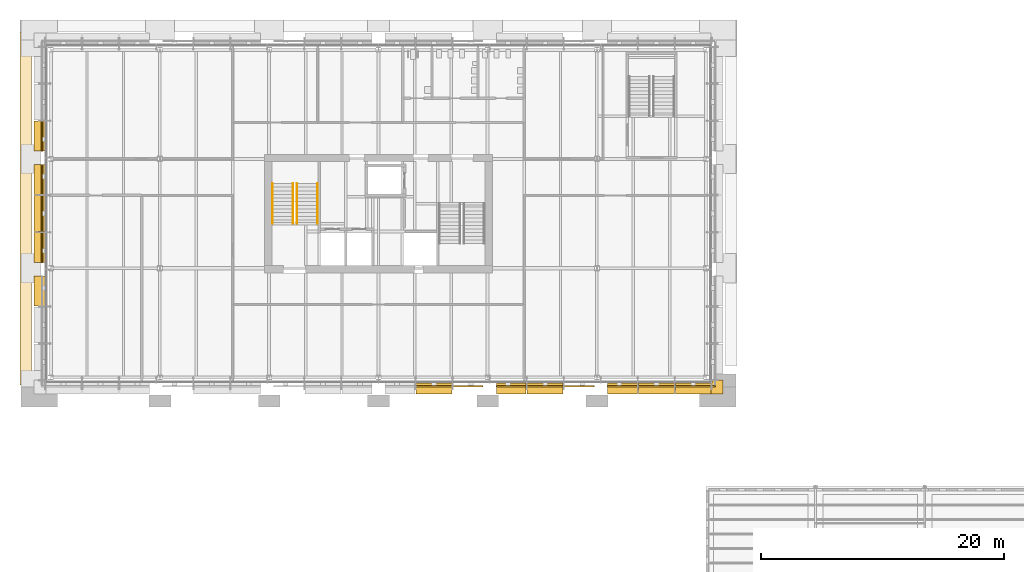
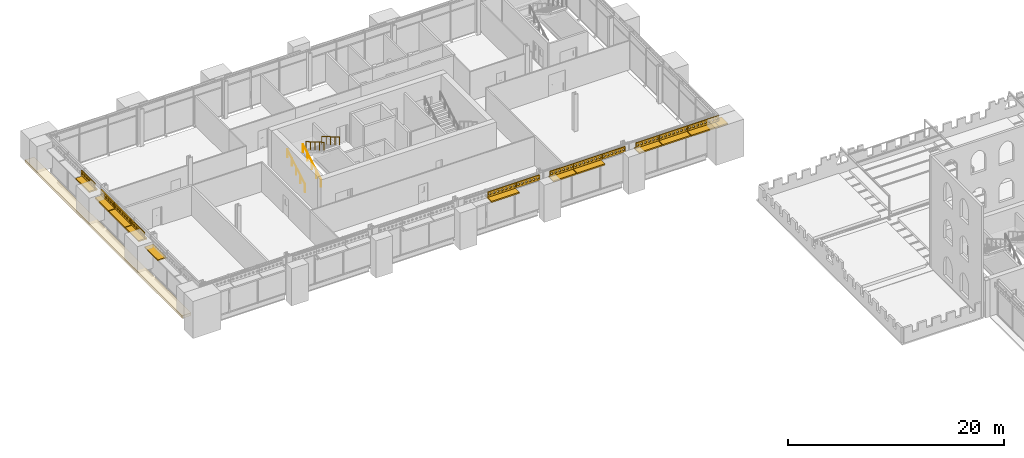
# One storey, part 141 of 153: 24 shading devices, 4 railings, 1 covering.
"""IFC4 building model written with IfcOpenShell, lengths in metres."""

import ifcopenshell
import ifcopenshell.guid

model = None  # the IFC model being written
_history = None  # IfcOwnerHistory: only IFC2X3 demands one
_inside = {}  # id of a spatial element -> (the spatial element, [elements in it])
_under = {}  # id of a project, library or spatial element -> (it, [spatial elements below it])
_declared = {}  # id of a project -> (the project, [libraries it declares])
_typed = {}  # id of a type object -> (the type object, [elements of that type])
_made_of = {}  # id of a material, layer set ... -> (it, [elements and type objects made of it])


def new_model(schema):
    """Start an empty IFC model of exactly this schema.

    Asked for "IFC4X3", IfcOpenShell would pick the latest addendum, in which some entities
    have other attributes; the version numbers below select the first issue.
    IFC2X3 requires an IfcOwnerHistory on every rooted entity: one is made here for all.
    """
    global model, _history
    if schema == "IFC4X3":
        model = ifcopenshell.file(schema_version=(4, 3, 0, 0))
    else:
        model = ifcopenshell.file(schema=schema)
    _inside.clear()
    _under.clear()
    _declared.clear()
    _typed.clear()
    _made_of.clear()
    _history = None
    if model.schema == "IFC2X3":
        org = make("IfcOrganization", Name="unknown")
        user = make(
            "IfcPersonAndOrganization",
            ThePerson=make("IfcPerson", FamilyName="unknown"),
            TheOrganization=org,
        )
        app = make(
            "IfcApplication",
            ApplicationDeveloper=org,
            Version="unknown",
            ApplicationFullName="unknown",
            ApplicationIdentifier="unknown",
        )
        _history = make(
            "IfcOwnerHistory",
            OwningUser=user,
            OwningApplication=app,
            ChangeAction="ADDED",
            CreationDate=0,
        )
    return model


def make(cls, **values):
    """One entity of the class cls with the attributes given. An attribute that is None is left unset."""
    return model.create_entity(
        cls, **{name: value for name, value in values.items() if value is not None}
    )


def rooted(cls, **values):
    """An entity with a GlobalId (a new one), such as an element, a storey or a relation."""
    return make(cls, GlobalId=ifcopenshell.guid.new(), OwnerHistory=_history, **values)


def si_unit(unit_type, name, prefix=None):
    """IfcSIUnit, for example si_unit("LENGTHUNIT", "METRE", prefix="MILLI")."""
    return make("IfcSIUnit", UnitType=unit_type, Prefix=prefix, Name=name)


def assignment(units):
    """IfcUnitAssignment: the units of a project."""
    return None if units is None else make("IfcUnitAssignment", Units=units)


def point(xyz):
    """IfcCartesianPoint."""
    return None if xyz is None else make("IfcCartesianPoint", Coordinates=xyz)


def direction(xyz):
    """IfcDirection."""
    return None if xyz is None else make("IfcDirection", DirectionRatios=xyz)


def frame(location, z_axis=None, x_axis=None):
    """IfcAxis2Placement3D, a coordinate frame: its origin and axes. An axis left out is left unset."""
    return make(
        "IfcAxis2Placement3D",
        Location=point(location),
        Axis=direction(z_axis),
        RefDirection=direction(x_axis),
    )


def frame_2d(location, x_axis=None):
    """IfcAxis2Placement2D, a coordinate frame in the plane: its origin and x axis."""
    return make(
        "IfcAxis2Placement2D", Location=point(location), RefDirection=direction(x_axis)
    )


def origin():
    """The frame at (0, 0, 0) with its axes left unset."""
    return frame((0.0, 0.0, 0.0))


def origin_2d():
    """The frame at (0, 0) in the plane with its x axis left unset."""
    return frame_2d((0.0, 0.0))


def place(relative_to, where):
    """IfcLocalPlacement: puts the frame where relative to a parent placement (None: the world)."""
    return make(
        "IfcLocalPlacement", PlacementRelTo=relative_to, RelativePlacement=where
    )


def context(
    kind, dimensions, precision=None, world=None, true_north=None, identifier=None
):
    """IfcGeometricRepresentationContext, for example the 3D "Model" context."""
    return make(
        "IfcGeometricRepresentationContext",
        ContextIdentifier=identifier,
        ContextType=kind,
        CoordinateSpaceDimension=dimensions,
        Precision=precision,
        WorldCoordinateSystem=world,
        TrueNorth=true_north,
    )


def subcontext(parent, identifier, kind, view, scale=None):
    """IfcGeometricRepresentationSubContext, for example "Body" below "Model"."""
    return make(
        "IfcGeometricRepresentationSubContext",
        ContextIdentifier=identifier,
        ContextType=kind,
        ParentContext=parent,
        TargetScale=scale,
        TargetView=view,
    )


def project(units=None, contexts=None):
    """IfcProject with its units and contexts."""
    return rooted(
        "IfcProject",
        Name="project",
        RepresentationContexts=contexts,
        UnitsInContext=assignment(units),
    )


def spatial(cls, under=None, at=None, **own):
    """A site, building, storey or space (cls), placed at a placement, below another one or the project."""
    s = rooted(cls, ObjectPlacement=at, **own)
    if under is not None:
        _under.setdefault(under.id(), (under, []))[1].append(s)
    return s


def polyline(points):
    """IfcPolyline through the points."""
    return make("IfcPolyline", Points=[point(p) for p in points])


def profile(cls, at=None, kind="AREA", **sizes):
    """A parametric profile (cls). Its sizes go by their IFC names, for example OverallWidth=200.0."""
    return make(cls, ProfileType=kind, Position=at, **sizes)


def rectangle(**sizes):
    """IfcRectangleProfileDef."""
    return profile("IfcRectangleProfileDef", **sizes)


def circle(**sizes):
    """IfcCircleProfileDef."""
    return profile("IfcCircleProfileDef", **sizes)


def outline(outer, holes=None, kind="AREA"):
    """IfcArbitraryClosedProfileDef: a profile drawn as a closed curve; with holes, ...WithVoids."""
    if holes is None:
        return make("IfcArbitraryClosedProfileDef", ProfileType=kind, OuterCurve=outer)
    return make(
        "IfcArbitraryProfileDefWithVoids",
        ProfileType=kind,
        OuterCurve=outer,
        InnerCurves=holes,
    )


def extrude(swept, where, along, depth):
    """IfcExtrudedAreaSolid: the profile swept, set in the frame where, extruded along a direction by depth."""
    return make(
        "IfcExtrudedAreaSolid",
        SweptArea=swept,
        Position=where,
        ExtrudedDirection=direction(along),
        Depth=depth,
    )


def shape(context_of_items, identifier, shape_type, items):
    """IfcShapeRepresentation: the items that make up one representation, for example the "Body"."""
    return make(
        "IfcShapeRepresentation",
        ContextOfItems=context_of_items,
        RepresentationIdentifier=identifier,
        RepresentationType=shape_type,
        Items=items,
    )


def material(Name=None, Category=None):
    """IfcMaterial."""
    return make("IfcMaterial", Name=Name, Category=Category)


def layer(
    of_material, thickness, ventilated=None, Name=None, Category=None, Priority=None
):
    """IfcMaterialLayer: one layer of a wall or slab, of a material (None: an air gap)."""
    return make(
        "IfcMaterialLayer",
        Material=of_material,
        LayerThickness=thickness,
        IsVentilated=ventilated,
        Name=Name,
        Category=Category,
        Priority=Priority,
    )


def layer_set(layers, Name=None):
    """IfcMaterialLayerSet."""
    return make("IfcMaterialLayerSet", MaterialLayers=layers, LayerSetName=Name)


def made_of(thing, what):
    """Note that an element or type object is made of a material, layer set ...; save() writes the relation."""
    if what is not None:
        _made_of.setdefault(what.id(), (what, []))[1].append(thing)
    return thing


def type_object(cls, material=None, **own):
    """A type object (cls), such as IfcWallType, which elements share."""
    return made_of(rooted(cls, **own), material)


def element(
    cls,
    number,
    at=None,
    inside=None,
    cuts=None,
    type_object=None,
    material=None,
    context=None,
    identifier="Body",
    shape_type=None,
    held_by="IfcProductDefinitionShape",
    body=None,
    shapes=None,
    **own,
):
    """One element of the class cls, such as IfcWall. Its Tag is "e" and its number.

    at: its placement. inside: the storey or other place that contains it. cuts: it is an
    opening in that element (IfcRelVoidsElement). A single representation is given by context,
    identifier, shape_type and body (its items); several are given by shapes. held_by: the class
    of the entity that holds the representations. save() writes the other relations.
    """
    e = rooted(cls, Tag="e%d" % number, ObjectPlacement=at, **own)
    if body is not None:
        shapes = [shape(context, identifier, shape_type, body)]
    if shapes is not None:
        e.Representation = make(held_by, Representations=shapes)
    if inside is not None:
        _inside.setdefault(inside.id(), (inside, []))[1].append(e)
    if cuts is not None:
        rooted(
            "IfcRelVoidsElement", RelatingBuildingElement=cuts, RelatedOpeningElement=e
        )
    if type_object is not None:
        _typed.setdefault(type_object.id(), (type_object, []))[1].append(e)
    return made_of(e, material)


def aggregate(whole, parts):
    """IfcRelAggregates: a whole, such as a stair, and the parts it consists of."""
    return rooted("IfcRelAggregates", RelatingObject=whole, RelatedObjects=parts)


def save(model, path):
    """Write the relations noted so far, then the file.

    IfcRelAggregates (storeys below a building ...), IfcRelContainedInSpatialStructure (elements
    in a storey), IfcRelDefinesByType, IfcRelAssociatesMaterial and IfcRelDeclares: one each for
    every whole, place, type object, material and project.
    """
    for whole, parts in _under.values():
        aggregate(whole, parts)
    for where, things in _inside.values():
        rooted(
            "IfcRelContainedInSpatialStructure",
            RelatedElements=things,
            RelatingStructure=where,
        )
    for kind, things in _typed.values():
        rooted("IfcRelDefinesByType", RelatedObjects=things, RelatingType=kind)
    for what, things in _made_of.values():
        rooted("IfcRelAssociatesMaterial", RelatedObjects=things, RelatingMaterial=what)
    for by, libraries in _declared.values():
        rooted("IfcRelDeclares", RelatingContext=by, RelatedDefinitions=libraries)
    model.write(path)


model = new_model("IFC4")

# Units and contexts
model_context = context("Model", 3, precision=1e-05, world=origin(), true_north=direction((0.0, 1.0)))
body_context = subcontext(model_context, "Body", "Model", "MODEL_VIEW")
ifc_project = project(units=[si_unit("LENGTHUNIT", "METRE"), si_unit("AREAUNIT", "SQUARE_METRE"), si_unit("VOLUMEUNIT", "CUBIC_METRE"), si_unit("PLANEANGLEUNIT", "RADIAN"), si_unit("MASSUNIT", "GRAM", prefix="KILO")], contexts=[model_context])

# Site, building, storey
site_placement = place(None, origin())
site = spatial("IfcSite", under=ifc_project, at=site_placement, CompositionType="ELEMENT")
building_placement = place(site_placement, origin())
building = spatial("IfcBuilding", under=site, at=building_placement, Name="Baradari Gate Terminus", CompositionType="ELEMENT")
storey_placement = place(building_placement, frame((0.0, 0.0, 11.699951171875)))
storey = spatial("IfcBuildingStorey", under=building, at=storey_placement, Name="L02", CompositionType="ELEMENT", Elevation=11.699951171875)

# Shading devices
ifc_material_1 = material(Name="Concrete C40/50 precast", Category="concrete")
ifc_layer_1 = layer(ifc_material_1, 0.14990234375)
ifc_layer_set_1 = layer_set([ifc_layer_1], Name="Concrete C40/50 precast")
shading_device_type_1 = type_object("IfcShadingDeviceType", Name="Chhajja band CJ-1 900x150", PredefinedType="AWNING", material=ifc_layer_set_1)
shading_device_1_placement = place(storey_placement, frame((40.578369140625, 116.080078125, 3.33251953125), z_axis=(0.0, 0.0, 1.0), x_axis=(1.0, 0.0, 0.0)))
element("IfcShadingDevice", 1, at=shading_device_1_placement, inside=storey, type_object=shading_device_type_1, Name="Chhajja band CJ-1 L02/TS bay 11", PredefinedType="AWNING", context=body_context, shape_type="SweptSolid", body=[
    extrude(rectangle(XDim=2.97216796875, YDim=0.89990234375, at=origin_2d()), origin(), (0.0, 0.0, 1.0), 0.14990234375),
])
shading_device_2_placement = place(storey_placement, frame((46.937744140625, 116.080078125, 3.33251953125), z_axis=(0.0, 0.0, 1.0), x_axis=(1.0, 0.0, 0.0)))
element("IfcShadingDevice", 2, at=shading_device_2_placement, inside=storey, type_object=shading_device_type_1, Name="Chhajja band CJ-1 L02/TS bay 13", PredefinedType="AWNING", context=body_context, shape_type="SweptSolid", body=[
    extrude(rectangle(XDim=2.462158203125, YDim=0.89990234375, at=origin_2d()), origin(), (0.0, 0.0, 1.0), 0.14990234375),
])
shading_device_3_placement = place(storey_placement, frame((49.735107421875, 116.080078125, 3.33251953125), z_axis=(0.0, 0.0, 1.0), x_axis=(1.0, 0.0, 0.0)))
element("IfcShadingDevice", 3, at=shading_device_3_placement, inside=storey, type_object=shading_device_type_1, Name="Chhajja band CJ-1 L02/TS bay 14", PredefinedType="AWNING", context=body_context, shape_type="SweptSolid", body=[
    extrude(rectangle(XDim=2.97216796875, YDim=0.89990234375, at=origin_2d()), origin(), (0.0, 0.0, 1.0), 0.14990234375),
])
shading_device_4_placement = place(storey_placement, frame((56.094482421875, 116.080078125, 3.33251953125), z_axis=(0.0, 0.0, 1.0), x_axis=(1.0, 0.0, 0.0)))
element("IfcShadingDevice", 4, at=shading_device_4_placement, inside=storey, type_object=shading_device_type_1, Name="Chhajja band CJ-1 L02/TS bay 16", PredefinedType="AWNING", context=body_context, shape_type="SweptSolid", body=[
    extrude(rectangle(XDim=2.462158203125, YDim=0.89990234375, at=origin_2d()), origin(), (0.0, 0.0, 1.0), 0.14990234375),
])
shading_device_5_placement = place(storey_placement, frame((58.8916015625, 116.080078125, 3.33251953125), z_axis=(0.0, 0.0, 1.0), x_axis=(1.0, 0.0, 0.0)))
element("IfcShadingDevice", 5, at=shading_device_5_placement, inside=storey, type_object=shading_device_type_1, Name="Chhajja band CJ-1 L02/TS bay 17", PredefinedType="AWNING", context=body_context, shape_type="SweptSolid", body=[
    extrude(rectangle(XDim=2.97216796875, YDim=0.89990234375, at=origin_2d()), origin(), (0.0, 0.0, 1.0), 0.14990234375),
])
shading_device_6_placement = place(storey_placement, frame((61.927734375, 116.080078125, 3.33251953125), z_axis=(0.0, 0.0, 1.0), x_axis=(1.0, 0.0, 0.0)))
element("IfcShadingDevice", 6, at=shading_device_6_placement, inside=storey, type_object=shading_device_type_1, Name="Chhajja band CJ-1 L02/TS bay 18", PredefinedType="AWNING", context=body_context, shape_type="SweptSolid", body=[
    extrude(rectangle(XDim=2.939697265625, YDim=0.89990234375, at=origin_2d()), origin(), (0.0, 0.0, 1.0), 0.14990234375),
])
for number, where, z_axis, x_axis, name in (
    (7, (8.080078125, 124.125, 3.33251953125), (0.0, 0.0, 1.0), (0.0, 1.0, 0.0), "Chhajja band CJ-1 L02/TW bay 3"),
    (8, (8.080078125, 127.695068359375, 3.33251953125), (0.0, 0.0, 1.0), (0.0, 1.0, 0.0), "Chhajja band CJ-1 L02/TW bay 4"),
):
    element("IfcShadingDevice", number, at=place(storey_placement, frame(where, z_axis=z_axis, x_axis=x_axis)), inside=storey, type_object=shading_device_type_1, Name=name, PredefinedType="AWNING", context=body_context, shape_type="SweptSolid", body=[
        extrude(rectangle(XDim=2.469970703125, YDim=0.89990234375, at=origin_2d()), origin(), (0.0, 0.0, 1.0), 0.14990234375),
    ])
shading_device_7_placement = place(storey_placement, frame((8.080078125, 130.5, 3.33251953125), z_axis=(0.0, 0.0, 1.0), x_axis=(0.0, 1.0, 0.0)))
element("IfcShadingDevice", 9, at=shading_device_7_placement, inside=storey, type_object=shading_device_type_1, Name="Chhajja band CJ-1 L02/TW bay 5", PredefinedType="AWNING", context=body_context, shape_type="SweptSolid", body=[
    extrude(rectangle(XDim=2.97998046875, YDim=0.89990234375, at=origin_2d()), origin(), (0.0, 0.0, 1.0), 0.14990234375),
])
for number, where, z_axis, x_axis, name in (
    (10, (8.080078125, 133.304931640625, 3.33251953125), (0.0, 0.0, 1.0), (0.0, 1.0, 0.0), "Chhajja band CJ-1 L02/TW bay 6"),
    (11, (8.080078125, 136.875, 3.33251953125), (0.0, 0.0, 1.0), (0.0, 1.0, 0.0), "Chhajja band CJ-1 L02/TW bay 7"),
):
    element("IfcShadingDevice", number, at=place(storey_placement, frame(where, z_axis=z_axis, x_axis=x_axis)), inside=storey, type_object=shading_device_type_1, Name=name, PredefinedType="AWNING", context=body_context, shape_type="SweptSolid", body=[
        extrude(rectangle(XDim=2.469970703125, YDim=0.89990234375, at=origin_2d()), origin(), (0.0, 0.0, 1.0), 0.14990234375),
    ])
shading_device_8_placement = place(storey_placement, frame((0.0, 0.0, 3.33251953125)))
element("IfcShadingDevice", 12, at=shading_device_8_placement, inside=storey, type_object=shading_device_type_1, Name="Chhajja band CJ-1 L02/SE corner", PredefinedType="AWNING", context=body_context, shape_type="SweptSolid", body=[
    extrude(outline(polyline([(64.3701171875, 116.802490234375), (63.469970703125, 116.802490234375), (63.469970703125, 116.530029296875), (63.3974609375, 116.530029296875), (63.3974609375, 115.6298828125), (64.3701171875, 115.6298828125), (64.3701171875, 116.802490234375)])), origin(), (0.0, 0.0, 1.0), 0.150146484375),
])

# Covering
ifc_material_2 = material(Name="Sandstone cladding", Category="masonry")
ifc_layer_2 = layer(ifc_material_2, 0.300048828125)
ifc_layer_set_2 = layer_set([ifc_layer_2], Name="Sandstone cladding")
covering_type = type_object("IfcCoveringType", Name="Cornice band CB-1 300", PredefinedType="CLADDING", material=ifc_layer_set_2)
covering_placement = place(storey_placement, frame((6.949951171875, 130.9375, 1.2001953125), z_axis=(0.0, 0.0, 1.0), x_axis=(1.0, 0.0, 0.0)))
element("IfcCovering", 13, at=covering_placement, inside=storey, type_object=covering_type, Name="Operations block arcade cornice west", PredefinedType="CLADDING", context=body_context, shape_type="SweptSolid", body=[
    extrude(rectangle(XDim=0.949951171875, YDim=29.074951171875, at=origin_2d()), origin(), (0.0, 0.0, 1.0), 0.300048828125),
])

# Railings
ifc_material_3 = material(Name="Stainless steel 1.4301", Category="steel")
railing_type = type_object("IfcRailingType", Name="Handrail HR-1 900", PredefinedType="HANDRAIL", material=ifc_material_3)
for number, where, name in (
    (14, (27.284912109375, 129.675048828125, 0.175048828125), "Handrail ST-T1 L02 flight 1"),
    (15, (28.965087890625, 129.675048828125, 0.175048828125), "Handrail ST-T1 L02 flight 1"),
):
    element("IfcRailing", number, at=place(storey_placement, frame(where)), inside=storey, type_object=railing_type, Name=name, PredefinedType="HANDRAIL", context=body_context, shape_type="SweptSolid", body=[
        extrude(circle(Radius=0.02392578125, at=origin_2d()), frame((0.0, 0.0, 0.8759765625), z_axis=(0.0, 0.863776583165, 0.503874998761), x_axis=(-1.0, 0.0, 0.0)), (0.0, 0.0, 1.0), 3.820556640625),
        extrude(circle(Radius=0.02099609375, at=origin_2d()), origin(), (0.0, 0.0, 1.0), 0.851806640625),
        extrude(circle(Radius=0.02099609375, at=origin_2d()), frame((0.0, 0.824951171875, 0.481201171875)), (0.0, 0.0, 1.0), 0.851806640625),
        extrude(circle(Radius=0.02099609375, at=origin_2d()), frame((0.0, 1.64990234375, 0.96240234375)), (0.0, 0.0, 1.0), 0.851806640625),
        extrude(circle(Radius=0.02099609375, at=origin_2d()), frame((0.0, 2.47509765625, 1.44384765625)), (0.0, 0.0, 1.0), 0.851806640625),
        extrude(circle(Radius=0.02099609375, at=origin_2d()), frame((0.0, 3.300048828125, 1.925048828125)), (0.0, 0.0, 1.0), 0.851806640625),
    ])
for number, where, name in (
    (16, (29.284912109375, 132.97509765625, 2.275146484375), "Handrail ST-T1 L02 flight 2"),
    (17, (30.965087890625, 132.97509765625, 2.275146484375), "Handrail ST-T1 L02 flight 2"),
):
    element("IfcRailing", number, at=place(storey_placement, frame(where)), inside=storey, type_object=railing_type, Name=name, PredefinedType="HANDRAIL", context=body_context, shape_type="SweptSolid", body=[
        extrude(circle(Radius=0.02392578125, at=origin_2d()), frame((0.0, 0.0, 0.8759765625), z_axis=(0.0, -0.863804395585, 0.503827317807), x_axis=(1.0, 0.0, 0.0)), (0.0, 0.0, 1.0), 3.8203125),
        extrude(circle(Radius=0.02099609375, at=origin_2d()), origin(), (0.0, 0.0, 1.0), 0.851806640625),
        extrude(circle(Radius=0.02099609375, at=origin_2d()), frame((0.0, -0.824951171875, 0.481201171875)), (0.0, 0.0, 1.0), 0.851806640625),
        extrude(circle(Radius=0.02099609375, at=origin_2d()), frame((0.0, -1.64990234375, 0.96240234375)), (0.0, 0.0, 1.0), 0.851806640625),
        extrude(circle(Radius=0.02099609375, at=origin_2d()), frame((0.0, -2.47509765625, 1.443603515625)), (0.0, 0.0, 1.0), 0.851806640625),
        extrude(circle(Radius=0.02099609375, at=origin_2d()), frame((0.0, -3.300048828125, 1.9248046875)), (0.0, 0.0, 1.0), 0.851806640625),
    ])

# Shading devices
ifc_material_4 = material(Name="Concrete C50/60 precast", Category="concrete")
ifc_layer_3 = layer(ifc_material_4, 0.10009765625)
ifc_layer_set_3 = layer_set([ifc_layer_3], Name="Concrete C50/60 precast")
shading_device_type_2 = type_object("IfcShadingDeviceType", Name="Jali screen panel JS-1 100", PredefinedType="SHUTTER", material=ifc_layer_set_3)
shading_device_9_placement = place(storey_placement, frame((39.072265625, 116.280029296875, 3.583740234375), z_axis=(0.0, 0.0, 1.0), x_axis=(1.0, 0.0, 0.0)))
element("IfcShadingDevice", 18, at=shading_device_9_placement, inside=storey, type_object=shading_device_type_2, Name="Jali screen panel JS-1 L02/TS bay 11", PredefinedType="SHUTTER", context=body_context, shape_type="SweptSolid", body=[
    extrude(outline(polyline([(0.0, 0.0), (3.01220703125, 0.0), (3.01220703125, 0.60009765625), (0.0, 0.60009765625), (0.0, 0.0)]), holes=[polyline([(0.34521484375, 0.300048828125), (0.2802734375, 0.1875), (0.150146484375, 0.1875), (0.085205078125, 0.300048828125), (0.150146484375, 0.41259765625), (0.2802734375, 0.41259765625), (0.34521484375, 0.300048828125)]), polyline([(0.775390625, 0.300048828125), (0.71044921875, 0.1875), (0.58056640625, 0.1875), (0.515380859375, 0.300048828125), (0.58056640625, 0.41259765625), (0.71044921875, 0.41259765625), (0.775390625, 0.300048828125)]), polyline([(1.205810546875, 0.300048828125), (1.140869140625, 0.1875), (1.0107421875, 0.1875), (0.94580078125, 0.300048828125), (1.0107421875, 0.41259765625), (1.140869140625, 0.41259765625), (1.205810546875, 0.300048828125)]), polyline([(1.63623046875, 0.300048828125), (1.571044921875, 0.1875), (1.441162109375, 0.1875), (1.376220703125, 0.300048828125), (1.441162109375, 0.41259765625), (1.571044921875, 0.41259765625), (1.63623046875, 0.300048828125)]), polyline([(2.06640625, 0.300048828125), (2.00146484375, 0.1875), (1.871337890625, 0.1875), (1.806396484375, 0.300048828125), (1.871337890625, 0.41259765625), (2.00146484375, 0.41259765625), (2.06640625, 0.300048828125)]), polyline([(2.496826171875, 0.300048828125), (2.431640625, 0.1875), (2.3017578125, 0.1875), (2.23681640625, 0.300048828125), (2.3017578125, 0.41259765625), (2.431640625, 0.41259765625), (2.496826171875, 0.300048828125)]), polyline([(2.927001953125, 0.300048828125), (2.862060546875, 0.1875), (2.732177734375, 0.1875), (2.6669921875, 0.300048828125), (2.732177734375, 0.41259765625), (2.862060546875, 0.41259765625), (2.927001953125, 0.300048828125)])]), frame((0.0, 0.050048828125, 0.0), z_axis=(0.0, -1.0, 0.0), x_axis=(1.0, 0.0, 0.0)), (0.0, 0.0, 1.0), 0.10009765625),
])
for number, where, z_axis, x_axis, name in (
    (19, (42.12451171875, 116.280029296875, 3.583740234375), (0.0, 0.0, 1.0), (1.0, 0.0, 0.0), "Jali screen panel JS-1 L02/TS bay 12"),
    (20, (45.706787109375, 116.280029296875, 3.583740234375), (0.0, 0.0, 1.0), (1.0, 0.0, 0.0), "Jali screen panel JS-1 L02/TS bay 13"),
):
    element("IfcShadingDevice", number, at=place(storey_placement, frame(where, z_axis=z_axis, x_axis=x_axis)), inside=storey, type_object=shading_device_type_2, Name=name, PredefinedType="SHUTTER", context=body_context, shape_type="SweptSolid", body=[
        extrude(outline(polyline([(0.0, 0.0), (2.482177734375, 0.0), (2.482177734375, 0.60009765625), (0.0, 0.60009765625), (0.0, 0.0)]), holes=[polyline([(0.3369140625, 0.300048828125), (0.27197265625, 0.1875), (0.141845703125, 0.1875), (0.076904296875, 0.300048828125), (0.141845703125, 0.41259765625), (0.27197265625, 0.41259765625), (0.3369140625, 0.300048828125)]), polyline([(0.75048828125, 0.300048828125), (0.685546875, 0.1875), (0.5556640625, 0.1875), (0.490478515625, 0.300048828125), (0.5556640625, 0.41259765625), (0.685546875, 0.41259765625), (0.75048828125, 0.300048828125)]), polyline([(1.164306640625, 0.300048828125), (1.099365234375, 0.1875), (0.96923828125, 0.1875), (0.904296875, 0.300048828125), (0.96923828125, 0.41259765625), (1.099365234375, 0.41259765625), (1.164306640625, 0.300048828125)]), polyline([(1.577880859375, 0.300048828125), (1.512939453125, 0.1875), (1.383056640625, 0.1875), (1.31787109375, 0.300048828125), (1.383056640625, 0.41259765625), (1.512939453125, 0.41259765625), (1.577880859375, 0.300048828125)]), polyline([(1.99169921875, 0.300048828125), (1.9267578125, 0.1875), (1.796630859375, 0.1875), (1.731689453125, 0.300048828125), (1.796630859375, 0.41259765625), (1.9267578125, 0.41259765625), (1.99169921875, 0.300048828125)]), polyline([(2.4052734375, 0.300048828125), (2.34033203125, 0.1875), (2.21044921875, 0.1875), (2.145263671875, 0.300048828125), (2.21044921875, 0.41259765625), (2.34033203125, 0.41259765625), (2.4052734375, 0.300048828125)])]), frame((0.0, 0.050048828125, 0.0), z_axis=(0.0, -1.0, 0.0), x_axis=(1.0, 0.0, 0.0)), (0.0, 0.0, 1.0), 0.10009765625),
    ])
shading_device_10_placement = place(storey_placement, frame((48.22900390625, 116.280029296875, 3.583740234375), z_axis=(0.0, 0.0, 1.0), x_axis=(1.0, 0.0, 0.0)))
element("IfcShadingDevice", 21, at=shading_device_10_placement, inside=storey, type_object=shading_device_type_2, Name="Jali screen panel JS-1 L02/TS bay 14", PredefinedType="SHUTTER", context=body_context, shape_type="SweptSolid", body=[
    extrude(outline(polyline([(0.0, 0.0), (3.01220703125, 0.0), (3.01220703125, 0.60009765625), (0.0, 0.60009765625), (0.0, 0.0)]), holes=[polyline([(0.34521484375, 0.300048828125), (0.2802734375, 0.1875), (0.150146484375, 0.1875), (0.085205078125, 0.300048828125), (0.150146484375, 0.41259765625), (0.2802734375, 0.41259765625), (0.34521484375, 0.300048828125)]), polyline([(0.775390625, 0.300048828125), (0.71044921875, 0.1875), (0.58056640625, 0.1875), (0.515380859375, 0.300048828125), (0.58056640625, 0.41259765625), (0.71044921875, 0.41259765625), (0.775390625, 0.300048828125)]), polyline([(1.205810546875, 0.300048828125), (1.140869140625, 0.1875), (1.0107421875, 0.1875), (0.94580078125, 0.300048828125), (1.0107421875, 0.41259765625), (1.140869140625, 0.41259765625), (1.205810546875, 0.300048828125)]), polyline([(1.63623046875, 0.300048828125), (1.571044921875, 0.1875), (1.441162109375, 0.1875), (1.376220703125, 0.300048828125), (1.441162109375, 0.41259765625), (1.571044921875, 0.41259765625), (1.63623046875, 0.300048828125)]), polyline([(2.06640625, 0.300048828125), (2.00146484375, 0.1875), (1.871337890625, 0.1875), (1.806396484375, 0.300048828125), (1.871337890625, 0.41259765625), (2.00146484375, 0.41259765625), (2.06640625, 0.300048828125)]), polyline([(2.496826171875, 0.300048828125), (2.431640625, 0.1875), (2.3017578125, 0.1875), (2.23681640625, 0.300048828125), (2.3017578125, 0.41259765625), (2.431640625, 0.41259765625), (2.496826171875, 0.300048828125)]), polyline([(2.927001953125, 0.300048828125), (2.862060546875, 0.1875), (2.732177734375, 0.1875), (2.6669921875, 0.300048828125), (2.732177734375, 0.41259765625), (2.862060546875, 0.41259765625), (2.927001953125, 0.300048828125)])]), frame((0.0, 0.050048828125, 0.0), z_axis=(0.0, -1.0, 0.0), x_axis=(1.0, 0.0, 0.0)), (0.0, 0.0, 1.0), 0.10009765625),
])
shading_device_11_placement = place(storey_placement, frame((51.281005859375, 116.280029296875, 3.583740234375), z_axis=(0.0, 0.0, 1.0), x_axis=(1.0, 0.0, 0.0)))
element("IfcShadingDevice", 22, at=shading_device_11_placement, inside=storey, type_object=shading_device_type_2, Name="Jali screen panel JS-1 L02/TS bay 15", PredefinedType="SHUTTER", context=body_context, shape_type="SweptSolid", body=[
    extrude(outline(polyline([(0.0, 0.0), (2.482421875, 0.0), (2.482421875, 0.60009765625), (0.0, 0.60009765625), (0.0, 0.0)]), holes=[polyline([(0.3369140625, 0.300048828125), (0.27197265625, 0.1875), (0.141845703125, 0.1875), (0.076904296875, 0.300048828125), (0.141845703125, 0.41259765625), (0.27197265625, 0.41259765625), (0.3369140625, 0.300048828125)]), polyline([(0.75048828125, 0.300048828125), (0.685546875, 0.1875), (0.5556640625, 0.1875), (0.490478515625, 0.300048828125), (0.5556640625, 0.41259765625), (0.685546875, 0.41259765625), (0.75048828125, 0.300048828125)]), polyline([(1.164306640625, 0.300048828125), (1.099365234375, 0.1875), (0.96923828125, 0.1875), (0.904296875, 0.300048828125), (0.96923828125, 0.41259765625), (1.099365234375, 0.41259765625), (1.164306640625, 0.300048828125)]), polyline([(1.577880859375, 0.300048828125), (1.512939453125, 0.1875), (1.383056640625, 0.1875), (1.31787109375, 0.300048828125), (1.383056640625, 0.41259765625), (1.512939453125, 0.41259765625), (1.577880859375, 0.300048828125)]), polyline([(1.99169921875, 0.300048828125), (1.9267578125, 0.1875), (1.796630859375, 0.1875), (1.731689453125, 0.300048828125), (1.796630859375, 0.41259765625), (1.9267578125, 0.41259765625), (1.99169921875, 0.300048828125)]), polyline([(2.4052734375, 0.300048828125), (2.34033203125, 0.1875), (2.21044921875, 0.1875), (2.145263671875, 0.300048828125), (2.21044921875, 0.41259765625), (2.34033203125, 0.41259765625), (2.4052734375, 0.300048828125)])]), frame((0.0, 0.050048828125, 0.0), z_axis=(0.0, -1.0, 0.0), x_axis=(1.0, 0.0, 0.0)), (0.0, 0.0, 1.0), 0.10009765625),
])
shading_device_12_placement = place(storey_placement, frame((54.86328125, 116.280029296875, 3.583740234375), z_axis=(0.0, 0.0, 1.0), x_axis=(1.0, 0.0, 0.0)))
element("IfcShadingDevice", 23, at=shading_device_12_placement, inside=storey, type_object=shading_device_type_2, Name="Jali screen panel JS-1 L02/TS bay 16", PredefinedType="SHUTTER", context=body_context, shape_type="SweptSolid", body=[
    extrude(outline(polyline([(0.0, 0.0), (2.482177734375, 0.0), (2.482177734375, 0.60009765625), (0.0, 0.60009765625), (0.0, 0.0)]), holes=[polyline([(0.3369140625, 0.300048828125), (0.27197265625, 0.1875), (0.141845703125, 0.1875), (0.076904296875, 0.300048828125), (0.141845703125, 0.41259765625), (0.27197265625, 0.41259765625), (0.3369140625, 0.300048828125)]), polyline([(0.75048828125, 0.300048828125), (0.685546875, 0.1875), (0.5556640625, 0.1875), (0.490478515625, 0.300048828125), (0.5556640625, 0.41259765625), (0.685546875, 0.41259765625), (0.75048828125, 0.300048828125)]), polyline([(1.164306640625, 0.300048828125), (1.099365234375, 0.1875), (0.96923828125, 0.1875), (0.904296875, 0.300048828125), (0.96923828125, 0.41259765625), (1.099365234375, 0.41259765625), (1.164306640625, 0.300048828125)]), polyline([(1.577880859375, 0.300048828125), (1.512939453125, 0.1875), (1.383056640625, 0.1875), (1.31787109375, 0.300048828125), (1.383056640625, 0.41259765625), (1.512939453125, 0.41259765625), (1.577880859375, 0.300048828125)]), polyline([(1.99169921875, 0.300048828125), (1.9267578125, 0.1875), (1.796630859375, 0.1875), (1.731689453125, 0.300048828125), (1.796630859375, 0.41259765625), (1.9267578125, 0.41259765625), (1.99169921875, 0.300048828125)]), polyline([(2.4052734375, 0.300048828125), (2.34033203125, 0.1875), (2.21044921875, 0.1875), (2.145263671875, 0.300048828125), (2.21044921875, 0.41259765625), (2.34033203125, 0.41259765625), (2.4052734375, 0.300048828125)])]), frame((0.0, 0.050048828125, 0.0), z_axis=(0.0, -1.0, 0.0), x_axis=(1.0, 0.0, 0.0)), (0.0, 0.0, 1.0), 0.10009765625),
])
shading_device_13_placement = place(storey_placement, frame((57.385498046875, 116.280029296875, 3.583740234375), z_axis=(0.0, 0.0, 1.0), x_axis=(1.0, 0.0, 0.0)))
element("IfcShadingDevice", 24, at=shading_device_13_placement, inside=storey, type_object=shading_device_type_2, Name="Jali screen panel JS-1 L02/TS bay 17", PredefinedType="SHUTTER", context=body_context, shape_type="SweptSolid", body=[
    extrude(outline(polyline([(0.0, 0.0), (3.01220703125, 0.0), (3.01220703125, 0.60009765625), (0.0, 0.60009765625), (0.0, 0.0)]), holes=[polyline([(0.34521484375, 0.300048828125), (0.2802734375, 0.1875), (0.150146484375, 0.1875), (0.085205078125, 0.300048828125), (0.150146484375, 0.41259765625), (0.2802734375, 0.41259765625), (0.34521484375, 0.300048828125)]), polyline([(0.775390625, 0.300048828125), (0.71044921875, 0.1875), (0.58056640625, 0.1875), (0.515380859375, 0.300048828125), (0.58056640625, 0.41259765625), (0.71044921875, 0.41259765625), (0.775390625, 0.300048828125)]), polyline([(1.205810546875, 0.300048828125), (1.140869140625, 0.1875), (1.0107421875, 0.1875), (0.94580078125, 0.300048828125), (1.0107421875, 0.41259765625), (1.140869140625, 0.41259765625), (1.205810546875, 0.300048828125)]), polyline([(1.63623046875, 0.300048828125), (1.571044921875, 0.1875), (1.441162109375, 0.1875), (1.376220703125, 0.300048828125), (1.441162109375, 0.41259765625), (1.571044921875, 0.41259765625), (1.63623046875, 0.300048828125)]), polyline([(2.06640625, 0.300048828125), (2.00146484375, 0.1875), (1.871337890625, 0.1875), (1.806396484375, 0.300048828125), (1.871337890625, 0.41259765625), (2.00146484375, 0.41259765625), (2.06640625, 0.300048828125)]), polyline([(2.496826171875, 0.300048828125), (2.431640625, 0.1875), (2.3017578125, 0.1875), (2.23681640625, 0.300048828125), (2.3017578125, 0.41259765625), (2.431640625, 0.41259765625), (2.496826171875, 0.300048828125)]), polyline([(2.927001953125, 0.300048828125), (2.862060546875, 0.1875), (2.732177734375, 0.1875), (2.6669921875, 0.300048828125), (2.732177734375, 0.41259765625), (2.862060546875, 0.41259765625), (2.927001953125, 0.300048828125)])]), frame((0.0, 0.050048828125, 0.0), z_axis=(0.0, -1.0, 0.0), x_axis=(1.0, 0.0, 0.0)), (0.0, 0.0, 1.0), 0.10009765625),
])
shading_device_14_placement = place(storey_placement, frame((60.437744140625, 116.280029296875, 3.583740234375), z_axis=(0.0, 0.0, 1.0), x_axis=(1.0, 0.0, 0.0)))
element("IfcShadingDevice", 25, at=shading_device_14_placement, inside=storey, type_object=shading_device_type_2, Name="Jali screen panel JS-1 L02/TS bay 18", PredefinedType="SHUTTER", context=body_context, shape_type="SweptSolid", body=[
    extrude(outline(polyline([(0.0, 0.0), (3.2998046875, 0.0), (3.2998046875, 0.60009765625), (0.0, 0.60009765625), (0.0, 0.0)]), holes=[polyline([(0.336181640625, 0.300048828125), (0.271240234375, 0.1875), (0.14111328125, 0.1875), (0.076171875, 0.300048828125), (0.14111328125, 0.41259765625), (0.271240234375, 0.41259765625), (0.336181640625, 0.300048828125)]), polyline([(0.748779296875, 0.300048828125), (0.68359375, 0.1875), (0.5537109375, 0.1875), (0.48876953125, 0.300048828125), (0.5537109375, 0.41259765625), (0.68359375, 0.41259765625), (0.748779296875, 0.300048828125)]), polyline([(1.1611328125, 0.300048828125), (1.09619140625, 0.1875), (0.966064453125, 0.1875), (0.901123046875, 0.300048828125), (0.966064453125, 0.41259765625), (1.09619140625, 0.41259765625), (1.1611328125, 0.300048828125)]), polyline([(1.57373046875, 0.300048828125), (1.508544921875, 0.1875), (1.378662109375, 0.1875), (1.313720703125, 0.300048828125), (1.378662109375, 0.41259765625), (1.508544921875, 0.41259765625), (1.57373046875, 0.300048828125)]), polyline([(1.986083984375, 0.300048828125), (1.921142578125, 0.1875), (1.791015625, 0.1875), (1.72607421875, 0.300048828125), (1.791015625, 0.41259765625), (1.921142578125, 0.41259765625), (1.986083984375, 0.300048828125)]), polyline([(2.3984375, 0.300048828125), (2.33349609375, 0.1875), (2.20361328125, 0.1875), (2.138671875, 0.300048828125), (2.20361328125, 0.41259765625), (2.33349609375, 0.41259765625), (2.3984375, 0.300048828125)]), polyline([(2.81103515625, 0.300048828125), (2.74609375, 0.1875), (2.615966796875, 0.1875), (2.551025390625, 0.300048828125), (2.615966796875, 0.41259765625), (2.74609375, 0.41259765625), (2.81103515625, 0.300048828125)]), polyline([(3.223388671875, 0.300048828125), (3.158447265625, 0.1875), (3.028564453125, 0.1875), (2.96337890625, 0.300048828125), (3.028564453125, 0.41259765625), (3.158447265625, 0.41259765625), (3.223388671875, 0.300048828125)])]), frame((0.0, 0.050048828125, 0.0), z_axis=(0.0, -1.0, 0.0), x_axis=(1.0, 0.0, 0.0)), (0.0, 0.0, 1.0), 0.10009765625),
])
shading_device_15_placement = place(storey_placement, frame((8.280029296875, 126.4599609375, 3.583740234375), z_axis=(0.0, 0.0, 1.0), x_axis=(0.0, 1.0, 0.0)))
element("IfcShadingDevice", 26, at=shading_device_15_placement, inside=storey, type_object=shading_device_type_2, Name="Jali screen panel JS-1 L02/TW bay 4", PredefinedType="SHUTTER", context=body_context, shape_type="SweptSolid", body=[
    extrude(outline(polyline([(0.0, 0.0), (2.489990234375, 0.0), (2.489990234375, 0.60009765625), (0.0, 0.60009765625), (0.0, 0.0)]), holes=[polyline([(0.33740234375, 0.300048828125), (0.2724609375, 0.1875), (0.142578125, 0.1875), (0.077392578125, 0.300048828125), (0.142578125, 0.41259765625), (0.2724609375, 0.41259765625), (0.33740234375, 0.300048828125)]), polyline([(0.75244140625, 0.300048828125), (0.6875, 0.1875), (0.5576171875, 0.1875), (0.492431640625, 0.300048828125), (0.5576171875, 0.41259765625), (0.6875, 0.41259765625), (0.75244140625, 0.300048828125)]), polyline([(1.16748046875, 0.300048828125), (1.1025390625, 0.1875), (0.972412109375, 0.1875), (0.907470703125, 0.300048828125), (0.972412109375, 0.41259765625), (1.1025390625, 0.41259765625), (1.16748046875, 0.300048828125)]), polyline([(1.58251953125, 0.300048828125), (1.517578125, 0.1875), (1.387451171875, 0.1875), (1.322509765625, 0.300048828125), (1.387451171875, 0.41259765625), (1.517578125, 0.41259765625), (1.58251953125, 0.300048828125)]), polyline([(1.99755859375, 0.300048828125), (1.9326171875, 0.1875), (1.802490234375, 0.1875), (1.737548828125, 0.300048828125), (1.802490234375, 0.41259765625), (1.9326171875, 0.41259765625), (1.99755859375, 0.300048828125)]), polyline([(2.41259765625, 0.300048828125), (2.347412109375, 0.1875), (2.217529296875, 0.1875), (2.152587890625, 0.300048828125), (2.217529296875, 0.41259765625), (2.347412109375, 0.41259765625), (2.41259765625, 0.300048828125)])]), frame((0.0, 0.050048828125, 0.0), z_axis=(0.0, -1.0, 0.0), x_axis=(1.0, 0.0, 0.0)), (0.0, 0.0, 1.0), 0.10009765625),
])
shading_device_16_placement = place(storey_placement, frame((8.280029296875, 128.989990234375, 3.583740234375), z_axis=(0.0, 0.0, 1.0), x_axis=(0.0, 1.0, 0.0)))
element("IfcShadingDevice", 27, at=shading_device_16_placement, inside=storey, type_object=shading_device_type_2, Name="Jali screen panel JS-1 L02/TW bay 5", PredefinedType="SHUTTER", context=body_context, shape_type="SweptSolid", body=[
    extrude(outline(polyline([(0.0, 0.0), (3.02001953125, 0.0), (3.02001953125, 0.60009765625), (0.0, 0.60009765625), (0.0, 0.0)]), holes=[polyline([(0.345703125, 0.300048828125), (0.28076171875, 0.1875), (0.150634765625, 0.1875), (0.085693359375, 0.300048828125), (0.150634765625, 0.41259765625), (0.28076171875, 0.41259765625), (0.345703125, 0.300048828125)]), polyline([(0.777099609375, 0.300048828125), (0.712158203125, 0.1875), (0.58203125, 0.1875), (0.51708984375, 0.300048828125), (0.58203125, 0.41259765625), (0.712158203125, 0.41259765625), (0.777099609375, 0.300048828125)]), polyline([(1.20849609375, 0.300048828125), (1.1435546875, 0.1875), (1.013671875, 0.1875), (0.948486328125, 0.300048828125), (1.013671875, 0.41259765625), (1.1435546875, 0.41259765625), (1.20849609375, 0.300048828125)]), polyline([(1.639892578125, 0.300048828125), (1.574951171875, 0.1875), (1.445068359375, 0.1875), (1.3798828125, 0.300048828125), (1.445068359375, 0.41259765625), (1.574951171875, 0.41259765625), (1.639892578125, 0.300048828125)]), polyline([(2.071533203125, 0.300048828125), (2.00634765625, 0.1875), (1.87646484375, 0.1875), (1.8115234375, 0.300048828125), (1.87646484375, 0.41259765625), (2.00634765625, 0.41259765625), (2.071533203125, 0.300048828125)]), polyline([(2.5029296875, 0.300048828125), (2.437744140625, 0.1875), (2.307861328125, 0.1875), (2.242919921875, 0.300048828125), (2.307861328125, 0.41259765625), (2.437744140625, 0.41259765625), (2.5029296875, 0.300048828125)]), polyline([(2.934326171875, 0.300048828125), (2.869384765625, 0.1875), (2.7392578125, 0.1875), (2.67431640625, 0.300048828125), (2.7392578125, 0.41259765625), (2.869384765625, 0.41259765625), (2.934326171875, 0.300048828125)])]), frame((0.0, 0.050048828125, 0.0), z_axis=(0.0, -1.0, 0.0), x_axis=(1.0, 0.0, 0.0)), (0.0, 0.0, 1.0), 0.10009765625),
])
for number, where, z_axis, x_axis, name in (
    (28, (8.280029296875, 132.050048828125, 3.583740234375), (0.0, 0.0, 1.0), (0.0, 1.0, 0.0), "Jali screen panel JS-1 L02/TW bay 6"),
    (29, (8.280029296875, 135.639892578125, 3.583740234375), (0.0, 0.0, 1.0), (0.0, 1.0, 0.0), "Jali screen panel JS-1 L02/TW bay 7"),
):
    element("IfcShadingDevice", number, at=place(storey_placement, frame(where, z_axis=z_axis, x_axis=x_axis)), inside=storey, type_object=shading_device_type_2, Name=name, PredefinedType="SHUTTER", context=body_context, shape_type="SweptSolid", body=[
        extrude(outline(polyline([(0.0, 0.0), (2.489990234375, 0.0), (2.489990234375, 0.60009765625), (0.0, 0.60009765625), (0.0, 0.0)]), holes=[polyline([(0.33740234375, 0.300048828125), (0.2724609375, 0.1875), (0.142578125, 0.1875), (0.077392578125, 0.300048828125), (0.142578125, 0.41259765625), (0.2724609375, 0.41259765625), (0.33740234375, 0.300048828125)]), polyline([(0.75244140625, 0.300048828125), (0.6875, 0.1875), (0.5576171875, 0.1875), (0.492431640625, 0.300048828125), (0.5576171875, 0.41259765625), (0.6875, 0.41259765625), (0.75244140625, 0.300048828125)]), polyline([(1.16748046875, 0.300048828125), (1.1025390625, 0.1875), (0.972412109375, 0.1875), (0.907470703125, 0.300048828125), (0.972412109375, 0.41259765625), (1.1025390625, 0.41259765625), (1.16748046875, 0.300048828125)]), polyline([(1.58251953125, 0.300048828125), (1.517578125, 0.1875), (1.387451171875, 0.1875), (1.322509765625, 0.300048828125), (1.387451171875, 0.41259765625), (1.517578125, 0.41259765625), (1.58251953125, 0.300048828125)]), polyline([(1.99755859375, 0.300048828125), (1.9326171875, 0.1875), (1.802490234375, 0.1875), (1.737548828125, 0.300048828125), (1.802490234375, 0.41259765625), (1.9326171875, 0.41259765625), (1.99755859375, 0.300048828125)]), polyline([(2.41259765625, 0.300048828125), (2.347412109375, 0.1875), (2.217529296875, 0.1875), (2.152587890625, 0.300048828125), (2.217529296875, 0.41259765625), (2.347412109375, 0.41259765625), (2.41259765625, 0.300048828125)])]), frame((0.0, 0.050048828125, 0.0), z_axis=(0.0, -1.0, 0.0), x_axis=(1.0, 0.0, 0.0)), (0.0, 0.0, 1.0), 0.10009765625),
    ])

save(model, "model.ifc")
